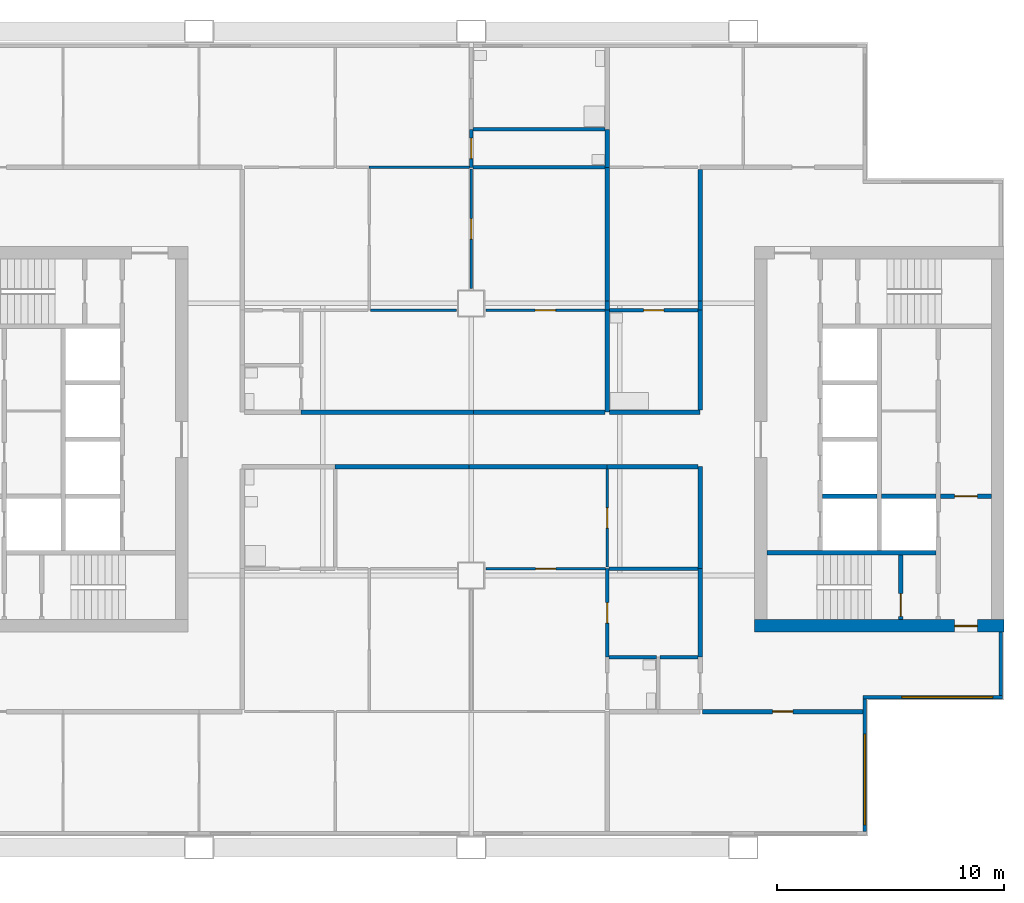
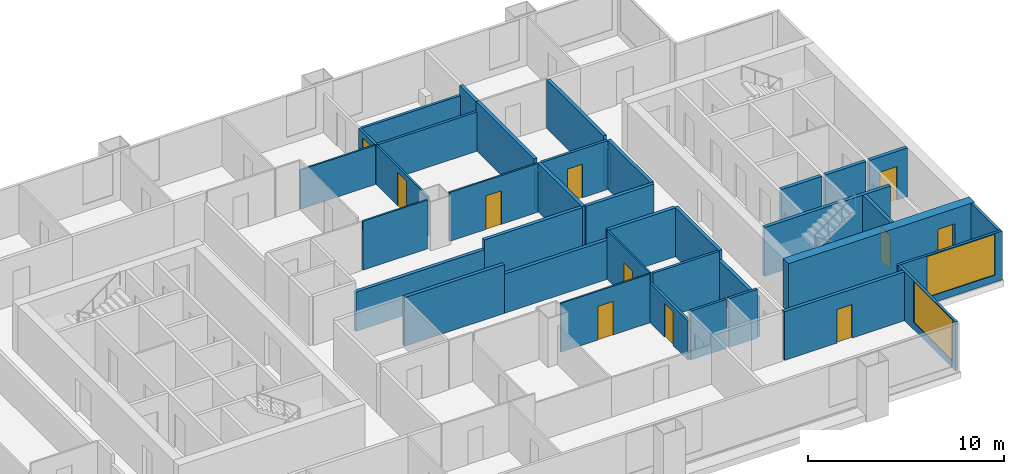
# One storey, part 5 of 9: 39 walls, 11 doors, 2 windows, 13 openings.
"""IFC4 building model written with IfcOpenShell, lengths in metres."""

from ifc_helpers import new_model, si_unit, direction, frame, frame_2d, origin, place, context, subcontext, project, spatial, rectangle, extrude, material, layer, layer_set, type_object, element, fill, save


model = new_model("IFC4")

# Units and contexts
model_context = context("Model", 3, precision=1e-05, world=origin(), true_north=direction((0.0, 1.0)))
body_context = subcontext(model_context, "Body", "Model", "MODEL_VIEW")
ifc_project = project(units=[si_unit("LENGTHUNIT", "METRE"), si_unit("AREAUNIT", "SQUARE_METRE"), si_unit("VOLUMEUNIT", "CUBIC_METRE"), si_unit("PLANEANGLEUNIT", "RADIAN"), si_unit("MASSUNIT", "GRAM", prefix="KILO")], contexts=[model_context])

# Site, building, storey
site_placement = place(None, origin())
site = spatial("IfcSite", under=ifc_project, at=site_placement, CompositionType="ELEMENT")
building_placement = place(site_placement, origin())
building = spatial("IfcBuilding", under=site, at=building_placement, Name="Kitamizu Gate Tower and Museum", CompositionType="ELEMENT")
storey_placement = place(building_placement, frame((0.0, 0.0, 178.949951171875)))
storey = spatial("IfcBuildingStorey", under=building, at=storey_placement, Name="L47", CompositionType="ELEMENT", Elevation=178.949951171875)

# Wall, opening, door
ifc_material_1 = material(Name="Concrete Fc42", Category="concrete")
ifc_layer_1 = layer(ifc_material_1, 0.550048828125)
ifc_layer_set_1 = layer_set([ifc_layer_1], Name="Concrete Fc42")
wall_type_1 = type_object("IfcWallType", Name="Core wall 550", PredefinedType="SHEAR", material=ifc_layer_set_1)
wall_1_placement = place(storey_placement, frame((59.5, 21.77490234375, 0.0), z_axis=(0.0, 0.0, 1.0), x_axis=(-1.0, 0.0, 0.0)))
wall_1 = element("IfcWall", 1, at=wall_1_placement, inside=storey, type_object=wall_type_1, Name="Core wall ES", PredefinedType="SHEAR", context=body_context, shape_type="SweptSolid", body=[
    extrude(rectangle(XDim=11.0, YDim=0.550048828125, at=frame_2d((5.5, 0.0))), origin(), (0.0, 0.0, 1.0), 3.050048828125),
])
opening_1_placement = place(wall_1_placement, frame((1.175048828125, 0.0, 0.0)))
opening_1 = element("IfcOpeningElement", 2, at=opening_1_placement, cuts=wall_1, Name="Opening L47-057", PredefinedType="OPENING", context=body_context, shape_type="SweptSolid", body=[
    extrude(rectangle(XDim=1.0, YDim=2.10009765625, at=frame_2d((0.5, 1.050048828125))), frame((0.0, 0.28515625, 0.0), z_axis=(0.0, -1.0, 0.0), x_axis=(1.0, 0.0, 0.0)), (0.0, 0.0, 1.0), 0.570068359375),
])
ifc_material_2 = material(Name="Hollow metal door set")
door_type_1 = type_object("IfcDoorType", Name="Fire door 1000", OperationType="NOTDEFINED", PredefinedType="DOOR", material=ifc_material_2)
door_1_placement = place(opening_1_placement, frame((1.0, 0.0, 0.0), x_axis=(-1.0, 0.0, 0.0)))
door_1 = element("IfcDoor", 3, at=door_1_placement, inside=storey, type_object=door_type_1, Name="Fire-fighting lobby door L47-057", OperationType="SINGLE_SWING_LEFT", OverallHeight=2.10009765625, OverallWidth=1.0, PredefinedType="DOOR", context=body_context, shape_type="SweptSolid", body=[
    extrude(rectangle(XDim=1.0, YDim=2.10009765625, at=frame_2d((0.5, 1.050048828125))), frame((0.0, 0.02490234375, 0.0), z_axis=(0.0, -1.0, 0.0), x_axis=(1.0, 0.0, 0.0)), (0.0, 0.0, 1.0), 0.050048828125),
])
fill(opening_1, door_1)

ifc_material_3 = material(Name="Gypsum board on galvanised stud")
ifc_layer_2 = layer(ifc_material_3, 0.10009765625)
ifc_layer_set_2 = layer_set([ifc_layer_2], Name="Gypsum board on galvanised stud")
wall_type_2 = type_object("IfcWallType", Name="Partition 100 NOT RATED", PredefinedType="PARTITIONING", material=ifc_layer_set_2)
wall_2_placement = place(storey_placement, frame((41.925048828125, 24.300048828125, 0.0), z_axis=(0.0, 0.0, 1.0), x_axis=(-1.0, 0.0, 0.0)))
wall_2 = element("IfcWall", 4, at=wall_2_placement, inside=storey, type_object=wall_type_2, Name="Partition L47-022", PredefinedType="PARTITIONING", context=body_context, shape_type="SweptSolid", body=[
    extrude(rectangle(XDim=5.275146484375, YDim=0.10009765625, at=frame_2d((2.6376953125, 0.0))), origin(), (0.0, 0.0, 1.0), 3.050048828125),
])
opening_2_placement = place(wall_2_placement, frame((2.1875, 0.0, 0.0)))
opening_2 = element("IfcOpeningElement", 5, at=opening_2_placement, cuts=wall_2, Name="Opening L47-010", PredefinedType="OPENING", context=body_context, shape_type="SweptSolid", body=[
    extrude(rectangle(XDim=0.89990234375, YDim=2.10009765625, at=frame_2d((0.449951171875, 1.050048828125))), frame((0.0, 0.06005859375, 0.0), z_axis=(0.0, -1.0, 0.0), x_axis=(1.0, 0.0, 0.0)), (0.0, 0.0, 1.0), 0.1201171875),
])
ifc_material_4 = material(Name="Timber door set", Category="wood")
door_type_2 = type_object("IfcDoorType", Name="Room door 900", OperationType="NOTDEFINED", PredefinedType="DOOR", material=ifc_material_4)
door_2_placement = place(opening_2_placement, origin())
door_2 = element("IfcDoor", 6, at=door_2_placement, inside=storey, type_object=door_type_2, Name="Door L47-010", OperationType="SINGLE_SWING_LEFT", OverallHeight=2.10009765625, OverallWidth=0.89990234375, PredefinedType="DOOR", context=body_context, shape_type="SweptSolid", body=[
    extrude(rectangle(XDim=0.89990234375, YDim=2.10009765625, at=frame_2d((0.449951171875, 1.050048828125))), frame((0.0, 0.02490234375, 0.0), z_axis=(0.0, -1.0, 0.0), x_axis=(1.0, 0.0, 0.0)), (0.0, 0.0, 1.0), 0.050048828125),
])
fill(opening_2, door_2)

wall_3_placement = place(storey_placement, frame((42.0, 24.375, 0.0), z_axis=(0.0, 0.0, 1.0), x_axis=(0.0, 1.0, 0.0)))
wall_3 = element("IfcWall", 7, at=wall_3_placement, inside=storey, type_object=wall_type_2, Name="Partition L47-028", PredefinedType="PARTITIONING", context=body_context, shape_type="SweptSolid", body=[
    extrude(rectangle(XDim=4.324951171875, YDim=0.10009765625, at=frame_2d((2.16259765625, 0.0))), origin(), (0.0, 0.0, 1.0), 3.050048828125),
])
opening_3_placement = place(wall_3_placement, frame((1.71240234375, 0.0, 0.0)))
opening_3 = element("IfcOpeningElement", 8, at=opening_3_placement, cuts=wall_3, Name="Opening L47-013", PredefinedType="OPENING", context=body_context, shape_type="SweptSolid", body=[
    extrude(rectangle(XDim=0.89990234375, YDim=2.10009765625, at=frame_2d((0.449951171875, 1.050048828125))), frame((0.0, 0.06005859375, 0.0), z_axis=(0.0, -1.0, 0.0), x_axis=(1.0, 0.0, 0.0)), (0.0, 0.0, 1.0), 0.1201171875),
])
door_3_placement = place(opening_3_placement, origin())
door_3 = element("IfcDoor", 9, at=door_3_placement, inside=storey, type_object=door_type_2, Name="Door L47-013", OperationType="SINGLE_SWING_RIGHT", OverallHeight=2.10009765625, OverallWidth=0.89990234375, PredefinedType="DOOR", context=body_context, shape_type="SweptSolid", body=[
    extrude(rectangle(XDim=0.89990234375, YDim=2.10009765625, at=frame_2d((0.449951171875, 1.050048828125))), frame((0.0, 0.02490234375, 0.0), z_axis=(0.0, -1.0, 0.0), x_axis=(1.0, 0.0, 0.0)), (0.0, 0.0, 1.0), 0.050048828125),
])
fill(opening_3, door_3)

# Wall
wall_4_placement = place(storey_placement, frame((31.5, 42.0, 0.0), z_axis=(0.0, 0.0, 1.0), x_axis=(1.0, 0.0, 0.0)))
element("IfcWall", 10, at=wall_4_placement, inside=storey, type_object=wall_type_2, Name="Partition L47-055", PredefinedType="PARTITIONING", context=body_context, shape_type="SweptSolid", body=[
    extrude(rectangle(XDim=4.425048828125, YDim=0.10009765625, at=frame_2d((2.21240234375, 0.0))), origin(), (0.0, 0.0, 1.0), 2.449951171875),
])

# Wall, opening, door
wall_5_placement = place(storey_placement, frame((36.0, 36.64990234375, 0.0), z_axis=(0.0, 0.0, 1.0), x_axis=(0.0, 1.0, 0.0)))
wall_5 = element("IfcWall", 11, at=wall_5_placement, inside=storey, type_object=wall_type_2, Name="Partition L47-065", PredefinedType="PARTITIONING", context=body_context, shape_type="SweptSolid", body=[
    extrude(rectangle(XDim=5.275146484375, YDim=0.10009765625, at=frame_2d((2.6376953125, 0.0))), origin(), (0.0, 0.0, 1.0), 2.449951171875),
])
opening_4_placement = place(wall_5_placement, frame((2.1875, 0.0, 0.0)))
opening_4 = element("IfcOpeningElement", 12, at=opening_4_placement, cuts=wall_5, Name="Opening L47-024", PredefinedType="OPENING", context=body_context, shape_type="SweptSolid", body=[
    extrude(rectangle(XDim=0.89990234375, YDim=2.10009765625, at=frame_2d((0.449951171875, 1.050048828125))), frame((0.0, 0.06005859375, 0.0), z_axis=(0.0, -1.0, 0.0), x_axis=(1.0, 0.0, 0.0)), (0.0, 0.0, 1.0), 0.1201171875),
])
door_4_placement = place(opening_4_placement, origin())
door_4 = element("IfcDoor", 13, at=door_4_placement, inside=storey, type_object=door_type_2, Name="Door L47-024", OperationType="SINGLE_SWING_LEFT", OverallHeight=2.10009765625, OverallWidth=0.89990234375, PredefinedType="DOOR", context=body_context, shape_type="SweptSolid", body=[
    extrude(rectangle(XDim=0.89990234375, YDim=2.10009765625, at=frame_2d((0.449951171875, 1.050048828125))), frame((0.0, 0.02490234375, 0.0), z_axis=(0.0, -1.0, 0.0), x_axis=(1.0, 0.0, 0.0)), (0.0, 0.0, 1.0), 0.050048828125),
])
fill(opening_4, door_4)

# Wall
wall_6_placement = place(storey_placement, frame((31.550048828125, 35.699951171875, 0.0), z_axis=(0.0, 0.0, 1.0), x_axis=(1.0, 0.0, 0.0)))
element("IfcWall", 14, at=wall_6_placement, inside=storey, type_object=wall_type_2, Name="Partition L47-066", PredefinedType="PARTITIONING", context=body_context, shape_type="SweptSolid", body=[
    extrude(rectangle(XDim=3.800048828125, YDim=0.10009765625, at=frame_2d((1.89990234375, 0.0))), origin(), (0.0, 0.0, 1.0), 3.050048828125),
])

# Wall, opening, door
wall_7_placement = place(storey_placement, frame((36.64990234375, 35.699951171875, 0.0), z_axis=(0.0, 0.0, 1.0), x_axis=(1.0, 0.0, 0.0)))
wall_7 = element("IfcWall", 15, at=wall_7_placement, inside=storey, type_object=wall_type_2, Name="Partition L47-067", PredefinedType="PARTITIONING", context=body_context, shape_type="SweptSolid", body=[
    extrude(rectangle(XDim=5.25, YDim=0.10009765625, at=frame_2d((2.625, 0.0))), origin(), (0.0, 0.0, 1.0), 3.050048828125),
])
opening_5_placement = place(wall_7_placement, frame((2.175048828125, 0.0, 0.0)))
opening_5 = element("IfcOpeningElement", 16, at=opening_5_placement, cuts=wall_7, Name="Opening L47-026", PredefinedType="OPENING", context=body_context, shape_type="SweptSolid", body=[
    extrude(rectangle(XDim=0.89990234375, YDim=2.10009765625, at=frame_2d((0.449951171875, 1.050048828125))), frame((0.0, 0.06005859375, 0.0), z_axis=(0.0, -1.0, 0.0), x_axis=(1.0, 0.0, 0.0)), (0.0, 0.0, 1.0), 0.1201171875),
])
door_5_placement = place(opening_5_placement, origin())
door_5 = element("IfcDoor", 17, at=door_5_placement, inside=storey, type_object=door_type_2, Name="Door L47-026", OperationType="SINGLE_SWING_LEFT", OverallHeight=2.10009765625, OverallWidth=0.89990234375, PredefinedType="DOOR", context=body_context, shape_type="SweptSolid", body=[
    extrude(rectangle(XDim=0.89990234375, YDim=2.10009765625, at=frame_2d((0.449951171875, 1.050048828125))), frame((0.0, 0.02490234375, 0.0), z_axis=(0.0, -1.0, 0.0), x_axis=(1.0, 0.0, 0.0)), (0.0, 0.0, 1.0), 0.050048828125),
])
fill(opening_5, door_5)

ifc_material_5 = material(Name="Gypsum board on galvanised stud")
ifc_layer_3 = layer(ifc_material_5, 0.14990234375)
ifc_layer_set_3 = layer_set([ifc_layer_3], Name="Gypsum board on galvanised stud")
wall_type_3 = type_object("IfcWallType", Name="Partition 150", PredefinedType="PARTITIONING", material=ifc_layer_set_3)
wall_8_placement = place(storey_placement, frame((42.0, 20.39990234375, 0.0), z_axis=(0.0, 0.0, 1.0), x_axis=(0.0, 1.0, 0.0)))
wall_8 = element("IfcWall", 18, at=wall_8_placement, inside=storey, type_object=wall_type_3, Name="Partition L47-024", PredefinedType="PARTITIONING", context=body_context, shape_type="SweptSolid", body=[
    extrude(rectangle(XDim=3.900146484375, YDim=0.14990234375, at=frame_2d((1.9501953125, 0.0))), origin(), (0.0, 0.0, 1.0), 2.449951171875),
])
opening_6_placement = place(wall_8_placement, frame((1.5, 0.0, 0.0)))
opening_6 = element("IfcOpeningElement", 19, at=opening_6_placement, cuts=wall_8, Name="Opening L47-012", PredefinedType="OPENING", context=body_context, shape_type="SweptSolid", body=[
    extrude(rectangle(XDim=0.89990234375, YDim=2.10009765625, at=frame_2d((0.449951171875, 1.050048828125))), frame((0.0, 0.0849609375, 0.0), z_axis=(0.0, -1.0, 0.0), x_axis=(1.0, 0.0, 0.0)), (0.0, 0.0, 1.0), 0.169921875),
])
ifc_material_6 = material(Name="Timber door set", Category="wood")
door_type_3 = type_object("IfcDoorType", Name="Bathroom door 900", OperationType="NOTDEFINED", PredefinedType="DOOR", material=ifc_material_6)
door_6_placement = place(opening_6_placement, frame((0.89990234375, 0.0, 0.0), x_axis=(-1.0, 0.0, 0.0)))
door_6 = element("IfcDoor", 20, at=door_6_placement, inside=storey, type_object=door_type_3, Name="Bathroom door L47-012", OperationType="SINGLE_SWING_RIGHT", OverallHeight=2.10009765625, OverallWidth=0.89990234375, PredefinedType="DOOR", context=body_context, shape_type="SweptSolid", body=[
    extrude(rectangle(XDim=0.89990234375, YDim=2.10009765625, at=frame_2d((0.449951171875, 1.050048828125))), frame((0.0, 0.02490234375, 0.0), z_axis=(0.0, -1.0, 0.0), x_axis=(1.0, 0.0, 0.0)), (0.0, 0.0, 1.0), 0.050048828125),
])
fill(opening_6, door_6)

# Walls
wall_9_placement = place(storey_placement, frame((44.175048828125, 20.39990234375, 0.0), z_axis=(0.0, 0.0, 1.0), x_axis=(-1.0, 0.0, 0.0)))
element("IfcWall", 21, at=wall_9_placement, inside=storey, type_object=wall_type_3, Name="Partition L47-032", PredefinedType="PARTITIONING", context=body_context, shape_type="SweptSolid", body=[
    extrude(rectangle(XDim=2.10009765625, YDim=0.14990234375, at=frame_2d((1.050048828125, 0.0))), origin(), (0.0, 0.0, 1.0), 3.050048828125),
])
wall_10_placement = place(storey_placement, frame((46.0, 20.39990234375, 0.0), z_axis=(0.0, 0.0, 1.0), x_axis=(-1.0, 0.0, 0.0)))
element("IfcWall", 22, at=wall_10_placement, inside=storey, type_object=wall_type_3, Name="Partition L47-034", PredefinedType="PARTITIONING", context=body_context, shape_type="SweptSolid", body=[
    extrude(rectangle(XDim=1.675048828125, YDim=0.14990234375, at=frame_2d((0.83740234375, 0.0))), origin(), (0.0, 0.0, 1.0), 3.050048828125),
])
wall_11_placement = place(storey_placement, frame((46.0, 24.300048828125, 0.0), z_axis=(0.0, 0.0, 1.0), x_axis=(-1.0, 0.0, 0.0)))
element("IfcWall", 23, at=wall_11_placement, inside=storey, type_object=wall_type_3, Name="Partition L47-037", PredefinedType="PARTITIONING", context=body_context, shape_type="SweptSolid", body=[
    extrude(rectangle(XDim=3.925048828125, YDim=0.14990234375, at=frame_2d((1.96240234375, 0.0))), origin(), (0.0, 0.0, 1.0), 3.050048828125),
])

# Wall, opening, door
wall_12_placement = place(storey_placement, frame((36.0, 42.0, 0.0), z_axis=(0.0, 0.0, 1.0), x_axis=(0.0, 1.0, 0.0)))
wall_12 = element("IfcWall", 24, at=wall_12_placement, inside=storey, type_object=wall_type_3, Name="Partition L47-053", PredefinedType="PARTITIONING", context=body_context, shape_type="SweptSolid", body=[
    extrude(rectangle(XDim=1.679931640625, YDim=0.14990234375, at=frame_2d((0.83984375, 0.0))), origin(), (0.0, 0.0, 1.0), 2.449951171875),
])
opening_7_placement = place(wall_12_placement, frame((0.389892578125, 0.0, 0.0)))
opening_7 = element("IfcOpeningElement", 25, at=opening_7_placement, cuts=wall_12, Name="Opening L47-021", PredefinedType="OPENING", context=body_context, shape_type="SweptSolid", body=[
    extrude(rectangle(XDim=0.89990234375, YDim=2.10009765625, at=frame_2d((0.449951171875, 1.050048828125))), frame((0.0, 0.0849609375, 0.0), z_axis=(0.0, -1.0, 0.0), x_axis=(1.0, 0.0, 0.0)), (0.0, 0.0, 1.0), 0.169921875),
])
door_7_placement = place(opening_7_placement, frame((0.89990234375, 0.0, 0.0), x_axis=(-1.0, 0.0, 0.0)))
door_7 = element("IfcDoor", 26, at=door_7_placement, inside=storey, type_object=door_type_3, Name="Bathroom door L47-021", OperationType="SINGLE_SWING_LEFT", OverallHeight=2.10009765625, OverallWidth=0.89990234375, PredefinedType="DOOR", context=body_context, shape_type="SweptSolid", body=[
    extrude(rectangle(XDim=0.89990234375, YDim=2.10009765625, at=frame_2d((0.449951171875, 1.050048828125))), frame((0.0, 0.02490234375, 0.0), z_axis=(0.0, -1.0, 0.0), x_axis=(1.0, 0.0, 0.0)), (0.0, 0.0, 1.0), 0.050048828125),
])
fill(opening_7, door_7)

# Walls
for number, where, z_axis, x_axis, name in (
    (27, (36.074951171875, 43.679931640625, 0.0), (0.0, 0.0, 1.0), (1.0, 0.0, 0.0), "Partition L47-056"),
    (28, (36.074951171875, 42.0, 0.0), (0.0, 0.0, 1.0), (1.0, 0.0, 0.0), "Partition L47-058"),
):
    element("IfcWall", number, at=place(storey_placement, frame(where, z_axis=z_axis, x_axis=x_axis)), inside=storey, type_object=wall_type_3, Name=name, PredefinedType="PARTITIONING", context=body_context, shape_type="SweptSolid", body=[
        extrude(rectangle(XDim=5.824951171875, YDim=0.14990234375, at=frame_2d((2.91259765625, 0.0))), origin(), (0.0, 0.0, 1.0), 2.449951171875),
    ])

# Wall, opening, door
wall_13_placement = place(storey_placement, frame((42.10009765625, 35.699951171875, 0.0), z_axis=(0.0, 0.0, 1.0), x_axis=(1.0, 0.0, 0.0)))
wall_13 = element("IfcWall", 29, at=wall_13_placement, inside=storey, type_object=wall_type_3, Name="Partition L47-102", PredefinedType="PARTITIONING", context=body_context, shape_type="SweptSolid", body=[
    extrude(rectangle(XDim=3.89990234375, YDim=0.14990234375, at=frame_2d((1.949951171875, 0.0))), origin(), (0.0, 0.0, 1.0), 3.050048828125),
])
opening_8_placement = place(wall_13_placement, frame((1.5, 0.0, 0.0)))
opening_8 = element("IfcOpeningElement", 30, at=opening_8_placement, cuts=wall_13, Name="Opening L47-039", PredefinedType="OPENING", context=body_context, shape_type="SweptSolid", body=[
    extrude(rectangle(XDim=0.89990234375, YDim=2.10009765625, at=frame_2d((0.449951171875, 1.050048828125))), frame((0.0, 0.0849609375, 0.0), z_axis=(0.0, -1.0, 0.0), x_axis=(1.0, 0.0, 0.0)), (0.0, 0.0, 1.0), 0.169921875),
])
door_8_placement = place(opening_8_placement, frame((0.89990234375, 0.0, 0.0), x_axis=(-1.0, 0.0, 0.0)))
door_8 = element("IfcDoor", 31, at=door_8_placement, inside=storey, type_object=door_type_3, Name="Bathroom door L47-039", OperationType="SINGLE_SWING_RIGHT", OverallHeight=2.10009765625, OverallWidth=0.89990234375, PredefinedType="DOOR", context=body_context, shape_type="SweptSolid", body=[
    extrude(rectangle(XDim=0.89990234375, YDim=2.10009765625, at=frame_2d((0.449951171875, 1.050048828125))), frame((0.0, 0.02490234375, 0.0), z_axis=(0.0, -1.0, 0.0), x_axis=(1.0, 0.0, 0.0)), (0.0, 0.0, 1.0), 0.050048828125),
])
fill(opening_8, door_8)

# Walls
ifc_material_7 = material(Name="Gypsum board on galvanised stud")
ifc_layer_4 = layer(ifc_material_7, 0.199951171875)
ifc_layer_set_4 = layer_set([ifc_layer_4], Name="Gypsum board on galvanised stud")
wall_type_4 = type_object("IfcWallType", Name="Partition 200", PredefinedType="PARTITIONING", material=ifc_layer_set_4)
wall_14_placement = place(storey_placement, frame((42.0, 28.800048828125, 0.0), z_axis=(0.0, 0.0, 1.0), x_axis=(-1.0, 0.0, 0.0)))
element("IfcWall", 32, at=wall_14_placement, inside=storey, type_object=wall_type_4, Name="Partition L47-029", PredefinedType="PARTITIONING", context=body_context, shape_type="SweptSolid", body=[
    extrude(rectangle(XDim=6.10009765625, YDim=0.199951171875, at=frame_2d((3.050048828125, 0.0))), origin(), (0.0, 0.0, 1.0), 2.449951171875),
])
wall_15_placement = place(storey_placement, frame((35.89990234375, 28.800048828125, 0.0), z_axis=(0.0, 0.0, 1.0), x_axis=(-1.0, 0.0, 0.0)))
element("IfcWall", 33, at=wall_15_placement, inside=storey, type_object=wall_type_4, Name="Partition L47-030", PredefinedType="PARTITIONING", context=body_context, shape_type="SweptSolid", body=[
    extrude(rectangle(XDim=5.89990234375, YDim=0.199951171875, at=frame_2d((2.949951171875, 0.0))), origin(), (0.0, 0.0, 1.0), 3.050048828125),
])
wall_16_placement = place(storey_placement, frame((46.10009765625, 20.39990234375, 0.0), z_axis=(0.0, 0.0, 1.0), x_axis=(0.0, 1.0, 0.0)))
element("IfcWall", 34, at=wall_16_placement, inside=storey, type_object=wall_type_4, Name="Partition L47-038", PredefinedType="PARTITIONING", context=body_context, shape_type="SweptSolid", body=[
    extrude(rectangle(XDim=3.900146484375, YDim=0.199951171875, at=frame_2d((1.9501953125, 0.0))), origin(), (0.0, 0.0, 1.0), 2.449951171875),
])
wall_17_placement = place(storey_placement, frame((46.10009765625, 24.300048828125, 0.0), z_axis=(0.0, 0.0, 1.0), x_axis=(0.0, 1.0, 0.0)))
element("IfcWall", 35, at=wall_17_placement, inside=storey, type_object=wall_type_4, Name="Partition L47-039", PredefinedType="PARTITIONING", context=body_context, shape_type="SweptSolid", body=[
    extrude(rectangle(XDim=4.5, YDim=0.199951171875, at=frame_2d((2.25, 0.0))), origin(), (0.0, 0.0, 1.0), 3.050048828125),
])
wall_18_placement = place(storey_placement, frame((46.0, 28.800048828125, 0.0), z_axis=(0.0, 0.0, 1.0), x_axis=(-1.0, 0.0, 0.0)))
element("IfcWall", 36, at=wall_18_placement, inside=storey, type_object=wall_type_4, Name="Partition L47-040", PredefinedType="PARTITIONING", context=body_context, shape_type="SweptSolid", body=[
    extrude(rectangle(XDim=4.0, YDim=0.199951171875, at=frame_2d((2.0, 0.0))), origin(), (0.0, 0.0, 1.0), 3.050048828125),
])
wall_19_placement = place(storey_placement, frame((42.0, 42.0, 0.0), z_axis=(0.0, 0.0, 1.0), x_axis=(0.0, 1.0, 0.0)))
element("IfcWall", 37, at=wall_19_placement, inside=storey, type_object=wall_type_4, Name="Partition L47-059", PredefinedType="PARTITIONING", context=body_context, shape_type="SweptSolid", body=[
    extrude(rectangle(XDim=1.679931640625, YDim=0.199951171875, at=frame_2d((0.83984375, 0.0))), origin(), (0.0, 0.0, 1.0), 3.050048828125),
])
wall_20_placement = place(storey_placement, frame((42.0, 35.699951171875, 0.0), z_axis=(0.0, 0.0, 1.0), x_axis=(0.0, 1.0, 0.0)))
element("IfcWall", 38, at=wall_20_placement, inside=storey, type_object=wall_type_4, Name="Partition L47-068", PredefinedType="PARTITIONING", context=body_context, shape_type="SweptSolid", body=[
    extrude(rectangle(XDim=0.400146484375, YDim=0.199951171875, at=frame_2d((0.2001953125, 0.0))), origin(), (0.0, 0.0, 1.0), 2.449951171875),
])
wall_21_placement = place(storey_placement, frame((42.0, 36.10009765625, 0.0), z_axis=(0.0, 0.0, 1.0), x_axis=(0.0, 1.0, 0.0)))
element("IfcWall", 39, at=wall_21_placement, inside=storey, type_object=wall_type_4, Name="Partition L47-069", PredefinedType="PARTITIONING", context=body_context, shape_type="SweptSolid", body=[
    extrude(rectangle(XDim=5.89990234375, YDim=0.199951171875, at=frame_2d((2.949951171875, 0.0))), origin(), (0.0, 0.0, 1.0), 3.050048828125),
])
wall_22_placement = place(storey_placement, frame((42.0, 31.199951171875, 0.0), z_axis=(0.0, 0.0, 1.0), x_axis=(0.0, 1.0, 0.0)))
element("IfcWall", 40, at=wall_22_placement, inside=storey, type_object=wall_type_4, Name="Partition L47-076", PredefinedType="PARTITIONING", context=body_context, shape_type="SweptSolid", body=[
    extrude(rectangle(XDim=4.5, YDim=0.199951171875, at=frame_2d((2.25, 0.0))), origin(), (0.0, 0.0, 1.0), 3.050048828125),
])
wall_23_placement = place(storey_placement, frame((28.5, 31.199951171875, 0.0), z_axis=(0.0, 0.0, 1.0), x_axis=(1.0, 0.0, 0.0)))
element("IfcWall", 41, at=wall_23_placement, inside=storey, type_object=wall_type_4, Name="Partition L47-077", PredefinedType="PARTITIONING", context=body_context, shape_type="SweptSolid", body=[
    extrude(rectangle(XDim=7.60009765625, YDim=0.199951171875, at=frame_2d((3.800048828125, 0.0))), origin(), (0.0, 0.0, 1.0), 2.449951171875),
])
wall_24_placement = place(storey_placement, frame((36.10009765625, 31.199951171875, 0.0), z_axis=(0.0, 0.0, 1.0), x_axis=(1.0, 0.0, 0.0)))
element("IfcWall", 42, at=wall_24_placement, inside=storey, type_object=wall_type_4, Name="Partition L47-078", PredefinedType="PARTITIONING", context=body_context, shape_type="SweptSolid", body=[
    extrude(rectangle(XDim=5.7998046875, YDim=0.199951171875, at=frame_2d((2.89990234375, 0.0))), origin(), (0.0, 0.0, 1.0), 3.050048828125),
])
wall_25_placement = place(storey_placement, frame((46.10009765625, 35.699951171875, 0.0), z_axis=(0.0, 0.0, 1.0), x_axis=(0.0, 1.0, 0.0)))
element("IfcWall", 43, at=wall_25_placement, inside=storey, type_object=wall_type_4, Name="Partition L47-103", PredefinedType="PARTITIONING", context=body_context, shape_type="SweptSolid", body=[
    extrude(rectangle(XDim=0.400146484375, YDim=0.199951171875, at=frame_2d((0.2001953125, 0.0))), origin(), (0.0, 0.0, 1.0), 2.449951171875),
])
wall_26_placement = place(storey_placement, frame((46.10009765625, 36.10009765625, 0.0), z_axis=(0.0, 0.0, 1.0), x_axis=(0.0, 1.0, 0.0)))
element("IfcWall", 44, at=wall_26_placement, inside=storey, type_object=wall_type_4, Name="Partition L47-104", PredefinedType="PARTITIONING", context=body_context, shape_type="SweptSolid", body=[
    extrude(rectangle(XDim=5.7998046875, YDim=0.199951171875, at=frame_2d((2.89990234375, 0.0))), origin(), (0.0, 0.0, 1.0), 3.050048828125),
])
wall_27_placement = place(storey_placement, frame((42.10009765625, 31.199951171875, 0.0), z_axis=(0.0, 0.0, 1.0), x_axis=(1.0, 0.0, 0.0)))
element("IfcWall", 45, at=wall_27_placement, inside=storey, type_object=wall_type_4, Name="Partition L47-105", PredefinedType="PARTITIONING", context=body_context, shape_type="SweptSolid", body=[
    extrude(rectangle(XDim=4.0, YDim=0.199951171875, at=frame_2d((2.0, 0.0))), origin(), (0.0, 0.0, 1.0), 3.050048828125),
])
wall_28_placement = place(storey_placement, frame((46.10009765625, 31.300048828125, 0.0), z_axis=(0.0, 0.0, 1.0), x_axis=(0.0, 1.0, 0.0)))
element("IfcWall", 46, at=wall_28_placement, inside=storey, type_object=wall_type_4, Name="Partition L47-106", PredefinedType="PARTITIONING", context=body_context, shape_type="SweptSolid", body=[
    extrude(rectangle(XDim=4.39990234375, YDim=0.199951171875, at=frame_2d((2.199951171875, 0.0))), origin(), (0.0, 0.0, 1.0), 3.050048828125),
])

# Wall, opening, door
wall_29_placement = place(storey_placement, frame((53.280029296875, 18.0, 0.0), z_axis=(0.0, 0.0, 1.0), x_axis=(-1.0, 0.0, 0.0)))
wall_29 = element("IfcWall", 47, at=wall_29_placement, inside=storey, type_object=wall_type_4, Name="Partition L47-107", PredefinedType="PARTITIONING", context=body_context, shape_type="SweptSolid", body=[
    extrude(rectangle(XDim=7.080078125, YDim=0.199951171875, at=frame_2d((3.5400390625, 0.0))), origin(), (0.0, 0.0, 1.0), 3.050048828125),
])
opening_9_placement = place(wall_29_placement, frame((3.090087890625, 0.0, 0.0)))
opening_9 = element("IfcOpeningElement", 48, at=opening_9_placement, cuts=wall_29, Name="Opening L47-040", PredefinedType="OPENING", context=body_context, shape_type="SweptSolid", body=[
    extrude(rectangle(XDim=0.89990234375, YDim=2.10009765625, at=frame_2d((0.449951171875, 1.050048828125))), frame((0.0, 0.10986328125, 0.0), z_axis=(0.0, -1.0, 0.0), x_axis=(1.0, 0.0, 0.0)), (0.0, 0.0, 1.0), 0.219970703125),
])
door_9_placement = place(opening_9_placement, origin())
door_9 = element("IfcDoor", 49, at=door_9_placement, inside=storey, type_object=door_type_2, Name="Door L47-040", OperationType="SINGLE_SWING_RIGHT", OverallHeight=2.10009765625, OverallWidth=0.89990234375, PredefinedType="DOOR", context=body_context, shape_type="SweptSolid", body=[
    extrude(rectangle(XDim=0.89990234375, YDim=2.10009765625, at=frame_2d((0.449951171875, 1.050048828125))), frame((0.0, 0.02490234375, 0.0), z_axis=(0.0, -1.0, 0.0), x_axis=(1.0, 0.0, 0.0)), (0.0, 0.0, 1.0), 0.050048828125),
])
fill(opening_9, door_9)

# Wall
ifc_material_8 = material(Name="Concrete Fc42", Category="concrete")
ifc_layer_5 = layer(ifc_material_8, 0.199951171875)
ifc_layer_set_5 = layer_set([ifc_layer_5], Name="Concrete Fc42")
wall_type_5 = type_object("IfcWallType", Name="Shaft wall 200", PredefinedType="SOLIDWALL", material=ifc_layer_set_5)
wall_30_placement = place(storey_placement, frame((56.5, 25.0, 0.0), z_axis=(0.0, 0.0, 1.0), x_axis=(-1.0, 0.0, 0.0)))
element("IfcWall", 50, at=wall_30_placement, inside=storey, type_object=wall_type_5, Name="Shaft wall ESB", PredefinedType="SOLIDWALL", context=body_context, shape_type="SweptSolid", body=[
    extrude(rectangle(XDim=7.449951171875, YDim=0.199951171875, at=frame_2d((3.72509765625, 0.0))), origin(), (0.0, 0.0, 1.0), 3.050048828125),
])

# Wall, opening, door
wall_31_placement = place(storey_placement, frame((58.949951171875, 27.5, 0.0), z_axis=(0.0, 0.0, 1.0), x_axis=(-1.0, 0.0, 0.0)))
wall_31 = element("IfcWall", 51, at=wall_31_placement, inside=storey, type_object=wall_type_5, Name="Shaft wall EFFN", PredefinedType="SOLIDWALL", context=body_context, shape_type="SweptSolid", body=[
    extrude(rectangle(XDim=2.25, YDim=0.199951171875, at=frame_2d((1.125, 0.0))), origin(), (0.0, 0.0, 1.0), 3.050048828125),
])
opening_10_placement = place(wall_31_placement, frame((0.625, 0.0, 0.0)))
opening_10 = element("IfcOpeningElement", 52, at=opening_10_placement, cuts=wall_31, Name="Opening L47-056", PredefinedType="OPENING", context=body_context, shape_type="SweptSolid", body=[
    extrude(rectangle(XDim=1.0, YDim=2.10009765625, at=frame_2d((0.5, 1.050048828125))), frame((0.0, 0.10986328125, 0.0), z_axis=(0.0, -1.0, 0.0), x_axis=(1.0, 0.0, 0.0)), (0.0, 0.0, 1.0), 0.219970703125),
])
door_10_placement = place(opening_10_placement, origin())
door_10 = element("IfcDoor", 53, at=door_10_placement, inside=storey, type_object=door_type_1, Name="Fire-fighting lobby door L47-056", OperationType="SINGLE_SWING_LEFT", OverallHeight=2.10009765625, OverallWidth=1.0, PredefinedType="DOOR", context=body_context, shape_type="SweptSolid", body=[
    extrude(rectangle(XDim=1.0, YDim=2.10009765625, at=frame_2d((0.5, 1.050048828125))), frame((0.0, 0.02490234375, 0.0), z_axis=(0.0, -1.0, 0.0), x_axis=(1.0, 0.0, 0.0)), (0.0, 0.0, 1.0), 0.050048828125),
])
fill(opening_10, door_10)

wall_32_placement = place(storey_placement, frame((54.949951171875, 22.050048828125, 0.0), z_axis=(0.0, 0.0, 1.0), x_axis=(0.0, 1.0, 0.0)))
wall_32 = element("IfcWall", 54, at=wall_32_placement, inside=storey, type_object=wall_type_5, Name="Shaft wall ESZ", PredefinedType="SOLIDWALL", context=body_context, shape_type="SweptSolid", body=[
    extrude(rectangle(XDim=2.849853515625, YDim=0.199951171875, at=frame_2d((1.4248046875, 0.0))), origin(), (0.0, 0.0, 1.0), 3.050048828125),
])
opening_11_placement = place(wall_32_placement, frame((0.14990234375, 0.0, 0.0)))
opening_11 = element("IfcOpeningElement", 55, at=opening_11_placement, cuts=wall_32, Name="Opening L47-052", PredefinedType="OPENING", context=body_context, shape_type="SweptSolid", body=[
    extrude(rectangle(XDim=1.0, YDim=2.10009765625, at=frame_2d((0.5, 1.050048828125))), frame((0.0, 0.10986328125, 0.0), z_axis=(0.0, -1.0, 0.0), x_axis=(1.0, 0.0, 0.0)), (0.0, 0.0, 1.0), 0.219970703125),
])
door_11_placement = place(opening_11_placement, origin())
door_11 = element("IfcDoor", 56, at=door_11_placement, inside=storey, type_object=door_type_1, Name="Stair door L47-052", OperationType="SINGLE_SWING_RIGHT", OverallHeight=2.10009765625, OverallWidth=1.0, PredefinedType="DOOR", context=body_context, shape_type="SweptSolid", body=[
    extrude(rectangle(XDim=1.0, YDim=2.10009765625, at=frame_2d((0.5, 1.050048828125))), frame((0.0, 0.02490234375, 0.0), z_axis=(0.0, -1.0, 0.0), x_axis=(1.0, 0.0, 0.0)), (0.0, 0.0, 1.0), 0.050048828125),
])
fill(opening_11, door_11)

# Walls
for number, where, z_axis, x_axis, name in (
    (57, (56.5, 27.5, 0.0), (0.0, 0.0, 1.0), (-1.0, 0.0, 0.0), "Shaft wall EDVW0"),
    (58, (53.89990234375, 27.5, 0.0), (0.0, 0.0, 1.0), (-1.0, 0.0, 0.0), "Shaft wall EDVE0"),
):
    element("IfcWall", number, at=place(storey_placement, frame(where, z_axis=z_axis, x_axis=x_axis)), inside=storey, type_object=wall_type_5, Name=name, PredefinedType="SOLIDWALL", context=body_context, shape_type="SweptSolid", body=[
        extrude(rectangle(XDim=2.39990234375, YDim=0.199951171875, at=frame_2d((1.199951171875, 0.0))), origin(), (0.0, 0.0, 1.0), 3.050048828125),
    ])

# Wall, opening, window
ifc_material_9 = material(Name="Bronze anodised aluminium frame with insulated spandrel and tinted glass", Category="aluminium")
ifc_layer_6 = layer(ifc_material_9, 0.14990234375)
ifc_layer_set_6 = layer_set([ifc_layer_6], Name="Bronze anodised aluminium frame with insulated spandrel and tinted glass")
wall_type_6 = type_object("IfcWallType", Name="WINDOW WALL 150 BRONZE FRAME EI 30", PredefinedType="ELEMENTEDWALL", material=ifc_layer_set_6)
wall_33_placement = place(storey_placement, frame((53.364990234375, 12.7099609375, 0.0), z_axis=(0.0, 0.0, 1.0), x_axis=(0.0, 1.0, 0.0)))
wall_33 = element("IfcWall", 59, at=wall_33_placement, inside=storey, type_object=wall_type_6, Name="Window wall east L47", PredefinedType="ELEMENTEDWALL", context=body_context, shape_type="SweptSolid", body=[
    extrude(rectangle(XDim=5.85009765625, YDim=0.14990234375, at=frame_2d((2.925048828125, 0.0))), origin(), (0.0, 0.0, 1.0), 3.050048828125),
])
opening_12_placement = place(wall_33_placement, frame((0.2900390625, 0.0, 0.449951171875)))
opening_12 = element("IfcOpeningElement", 60, at=opening_12_placement, cuts=wall_33, Name="Opening W16", PredefinedType="OPENING", context=body_context, shape_type="SweptSolid", body=[
    extrude(rectangle(XDim=4.0, YDim=2.550048828125, at=frame_2d((2.0, 1.27490234375))), frame((0.0, 0.0849609375, 0.0), z_axis=(0.0, -1.0, 0.0), x_axis=(1.0, 0.0, 0.0)), (0.0, 0.0, 1.0), 0.169921875),
])
ifc_material_10 = material(Name="Bronze anodised aluminium frame, tinted triple glazing", Category="aluminium")
window_type = type_object("IfcWindowType", Name="WINDOW 4000 x 2550 SILL 450", PartitioningType="SINGLE_PANEL", PredefinedType="WINDOW", material=ifc_material_10)
window_1_placement = place(opening_12_placement, origin())
window_1 = element("IfcWindow", 61, at=window_1_placement, inside=storey, type_object=window_type, Name="Window W16 L47", OverallHeight=2.550048828125, OverallWidth=4.0, PartitioningType="SINGLE_PANEL", PredefinedType="WINDOW", context=body_context, shape_type="SweptSolid", body=[
    extrude(rectangle(XDim=4.0, YDim=2.550048828125, at=frame_2d((2.0, 1.27490234375))), frame((0.0, 0.030029296875, 0.0), z_axis=(0.0, -1.0, 0.0), x_axis=(1.0, 0.0, 0.0)), (0.0, 0.0, 1.0), 0.06005859375),
])
fill(opening_12, window_1)

wall_34_placement = place(storey_placement, frame((53.2900390625, 18.635009765625, 0.0), z_axis=(0.0, 0.0, 1.0), x_axis=(1.0, 0.0, 0.0)))
wall_34 = element("IfcWall", 62, at=wall_34_placement, inside=storey, type_object=wall_type_6, Name="Window wall south L47", PredefinedType="ELEMENTEDWALL", context=body_context, shape_type="SweptSolid", body=[
    extrude(rectangle(XDim=6.14990234375, YDim=0.14990234375, at=frame_2d((3.074951171875, 0.0))), origin(), (0.0, 0.0, 1.0), 3.050048828125),
])
opening_13_placement = place(wall_34_placement, frame((1.7099609375, 0.0, 0.449951171875)))
opening_13 = element("IfcOpeningElement", 63, at=opening_13_placement, cuts=wall_34, Name="Opening W16", PredefinedType="OPENING", context=body_context, shape_type="SweptSolid", body=[
    extrude(rectangle(XDim=4.0, YDim=2.550048828125, at=frame_2d((2.0, 1.27490234375))), frame((0.0, 0.0849609375, 0.0), z_axis=(0.0, -1.0, 0.0), x_axis=(1.0, 0.0, 0.0)), (0.0, 0.0, 1.0), 0.169921875),
])
window_2_placement = place(opening_13_placement, origin())
window_2 = element("IfcWindow", 64, at=window_2_placement, inside=storey, type_object=window_type, Name="Window W16 L47", OverallHeight=2.550048828125, OverallWidth=4.0, PartitioningType="SINGLE_PANEL", PredefinedType="WINDOW", context=body_context, shape_type="SweptSolid", body=[
    extrude(rectangle(XDim=4.0, YDim=2.550048828125, at=frame_2d((2.0, 1.27490234375))), frame((0.0, 0.030029296875, 0.0), z_axis=(0.0, -1.0, 0.0), x_axis=(1.0, 0.0, 0.0)), (0.0, 0.0, 1.0), 0.06005859375),
])
fill(opening_13, window_2)

# Wall
wall_35_placement = place(storey_placement, frame((59.364990234375, 18.7099609375, 0.0), z_axis=(0.0, 0.0, 1.0), x_axis=(0.0, 1.0, 0.0)))
element("IfcWall", 65, at=wall_35_placement, inside=storey, type_object=wall_type_6, Name="Window wall east L47", PredefinedType="ELEMENTEDWALL", context=body_context, shape_type="SweptSolid", body=[
    extrude(rectangle(XDim=2.7900390625, YDim=0.14990234375, at=frame_2d((1.39501953125, 0.0))), origin(), (0.0, 0.0, 1.0), 3.050048828125),
])

save(model, "model.ifc")
